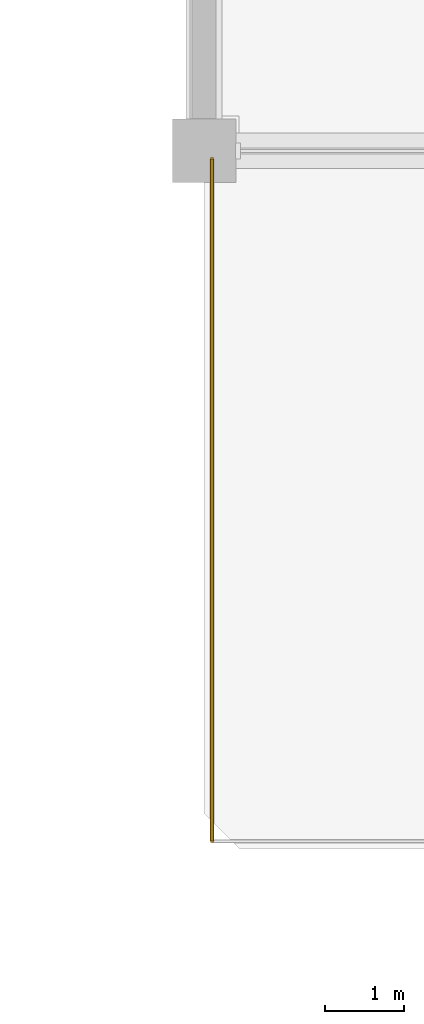
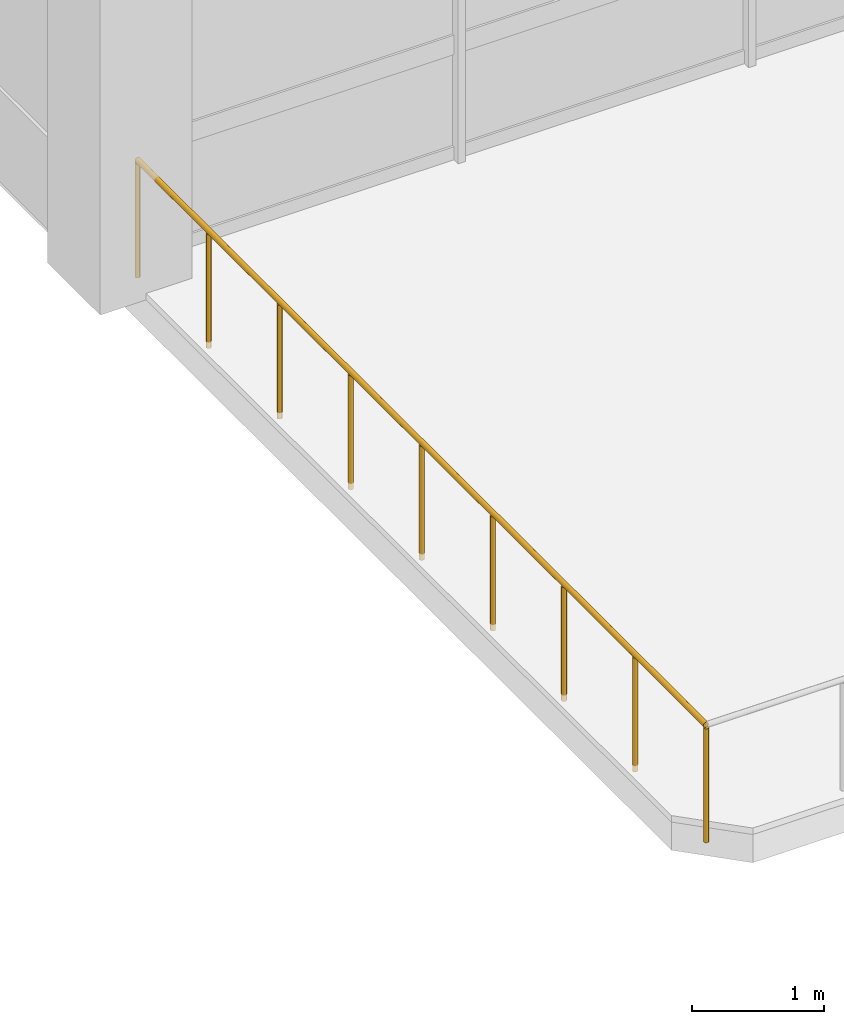
# One storey, part 42 of 49: 1 railing.
"""IFC4 building model written with IfcOpenShell, lengths in metres."""

from ifc_helpers import new_model, si_unit, direction, frame, origin, origin_2d, place, context, subcontext, project, spatial, circle, extrude, material, type_object, element, save


model = new_model("IFC4")

# Units and contexts
model_context = context("Model", 3, precision=1e-05, world=origin(), true_north=direction((0.0, 1.0)))
body_context = subcontext(model_context, "Body", "Model", "MODEL_VIEW")
ifc_project = project(units=[si_unit("LENGTHUNIT", "METRE"), si_unit("AREAUNIT", "SQUARE_METRE"), si_unit("VOLUMEUNIT", "CUBIC_METRE"), si_unit("PLANEANGLEUNIT", "RADIAN"), si_unit("MASSUNIT", "GRAM", prefix="KILO")], contexts=[model_context])

# Site, building, storey
site_placement = place(None, origin())
site = spatial("IfcSite", under=ifc_project, at=site_placement, CompositionType="ELEMENT")
building_placement = place(site_placement, origin())
building = spatial("IfcBuilding", under=site, at=building_placement, Name="Kemercrest Conservatory and Botanical Centre", CompositionType="ELEMENT")
storey_placement = place(building_placement, frame((0.0, 0.0, 13.199951171875)))
storey = spatial("IfcBuildingStorey", under=building, at=storey_placement, Name="L03", CompositionType="ELEMENT", Elevation=13.199951171875)

# Railing
ifc_material = material(Name="Architectural bronze-anodized steel balustrade", Category="steel")
railing_type = type_object("IfcRailingType", Name="GR-TER110", PredefinedType="GUARDRAIL", material=ifc_material)
railing_placement = place(storey_placement, frame((134.10009765625, 78.300048828125, 0.0)))
element("IfcRailing", 1, at=railing_placement, inside=storey, type_object=railing_type, Name="Safety guardrail GR-TER110 (V4-L03S-1)", PredefinedType="GUARDRAIL", context=body_context, shape_type="SweptSolid", body=[
    extrude(circle(Radius=0.02392578125, at=origin_2d()), frame((0.0, 0.0, 1.076171875), z_axis=(0.0, -1.0, 0.0), x_axis=(1.0, 0.0, 0.0)), (0.0, 0.0, 1.0), 8.60009765625),
    extrude(circle(Radius=0.02099609375, at=origin_2d()), origin(), (0.0, 0.0, 1.0), 1.052001953125),
    extrude(circle(Radius=0.02099609375, at=origin_2d()), frame((0.0, -1.074951171875, 0.0)), (0.0, 0.0, 1.0), 1.052001953125),
    extrude(circle(Radius=0.02099609375, at=origin_2d()), frame((0.0, -2.14990234375, 0.0)), (0.0, 0.0, 1.0), 1.052001953125),
    extrude(circle(Radius=0.02099609375, at=origin_2d()), frame((0.0, -3.22509765625, 0.0)), (0.0, 0.0, 1.0), 1.052001953125),
    extrude(circle(Radius=0.02099609375, at=origin_2d()), frame((0.0, -4.300048828125, 0.0)), (0.0, 0.0, 1.0), 1.052001953125),
    extrude(circle(Radius=0.02099609375, at=origin_2d()), frame((0.0, -5.375, 0.0)), (0.0, 0.0, 1.0), 1.052001953125),
    extrude(circle(Radius=0.02099609375, at=origin_2d()), frame((0.0, -6.4501953125, 0.0)), (0.0, 0.0, 1.0), 1.052001953125),
    extrude(circle(Radius=0.02099609375, at=origin_2d()), frame((0.0, -7.525146484375, 0.0)), (0.0, 0.0, 1.0), 1.052001953125),
    extrude(circle(Radius=0.02099609375, at=origin_2d()), frame((0.0, -8.60009765625, 0.0)), (0.0, 0.0, 1.0), 1.052001953125),
])

save(model, "model.ifc")
